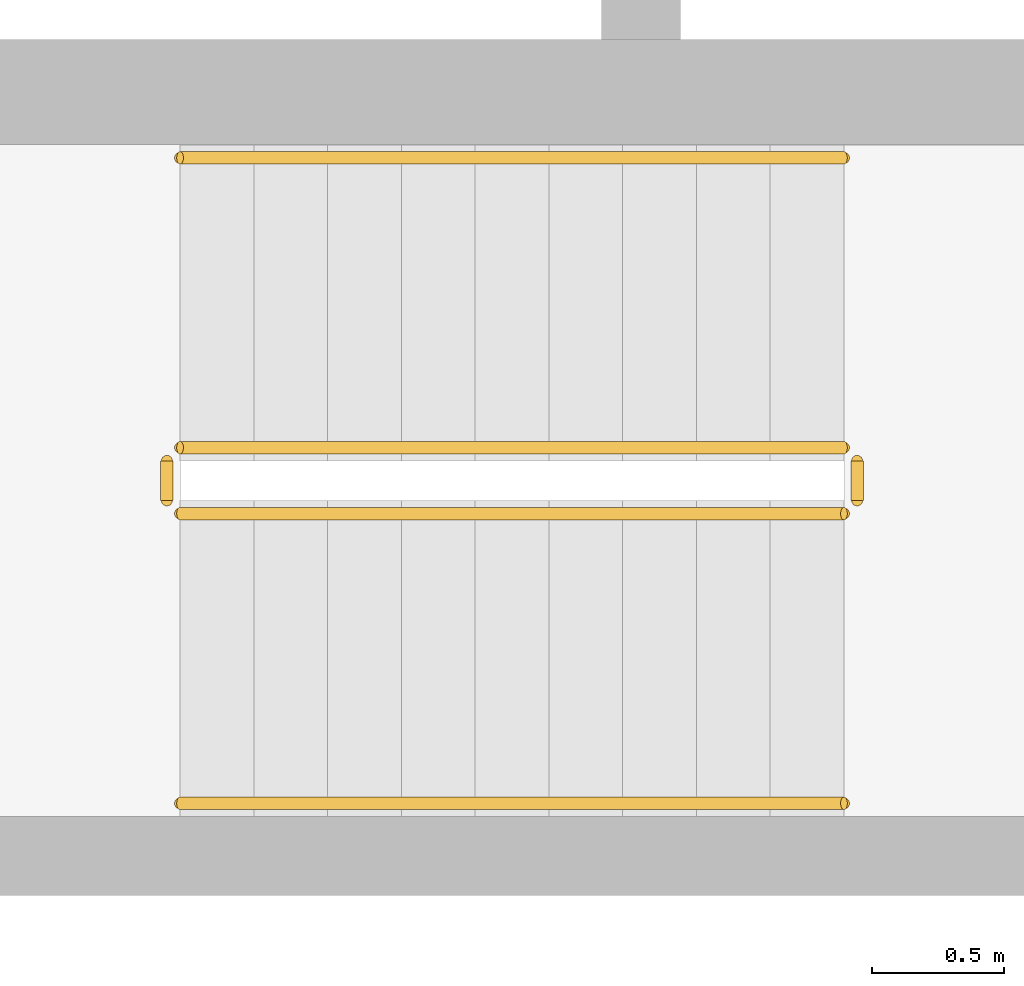
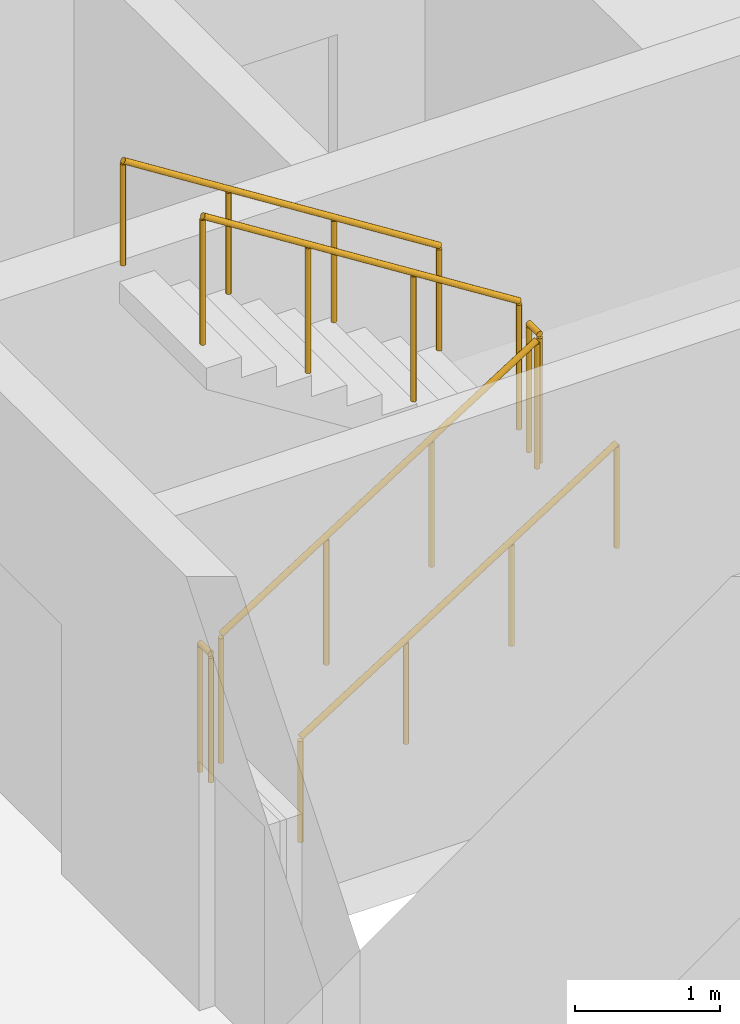
# One storey, part 16 of 19: 6 railings.
"""IFC4 building model written with IfcOpenShell, lengths in metres."""

from ifc_helpers import new_model, si_unit, direction, frame, origin, origin_2d, place, context, subcontext, project, spatial, circle, extrude, material, type_object, element, save


model = new_model("IFC4")

# Units and contexts
model_context = context("Model", 3, precision=1e-05, world=origin(), true_north=direction((0.0, 1.0)))
body_context = subcontext(model_context, "Body", "Model", "MODEL_VIEW")
ifc_project = project(units=[si_unit("LENGTHUNIT", "METRE"), si_unit("AREAUNIT", "SQUARE_METRE"), si_unit("VOLUMEUNIT", "CUBIC_METRE"), si_unit("PLANEANGLEUNIT", "RADIAN"), si_unit("MASSUNIT", "GRAM", prefix="KILO")], contexts=[model_context])

# Site, building, storey
site_placement = place(None, origin())
site = spatial("IfcSite", under=ifc_project, at=site_placement, CompositionType="ELEMENT")
building_placement = place(site_placement, origin())
building = spatial("IfcBuilding", under=site, at=building_placement, Name="Ostrand Prow Hotel Tower", CompositionType="ELEMENT")
storey_placement = place(building_placement, frame((0.0, 0.0, 46.699951171875)))
storey = spatial("IfcBuildingStorey", under=building, at=storey_placement, Name="L09", CompositionType="ELEMENT", Elevation=46.699951171875)

# Railings
ifc_material_1 = material(Name="Painted steel", Category="steel")
railing_type_1 = type_object("IfcRailingType", Name="Stair guard 1100", PredefinedType="GUARDRAIL", material=ifc_material_1)
railing_1_placement = place(storey_placement, frame((57.199951171875, -11.75, 0.177490234375)))
element("IfcRailing", 1, at=railing_1_placement, inside=storey, type_object=railing_type_1, Name="L09 ST2C stair guard 1", PredefinedType="GUARDRAIL", context=body_context, shape_type="SweptSolid", body=[
    extrude(circle(Radius=0.02392578125, at=origin_2d()), frame((0.0, 0.0, 1.076171875), z_axis=(0.84456994832, 0.0, 0.535445237532), x_axis=(0.0, 1.0, 0.0)), (0.0, 0.0, 1.0), 2.98388671875),
    extrude(circle(Radius=0.02099609375, at=origin_2d()), origin(), (0.0, 0.0, 1.0), 1.052001953125),
    extrude(circle(Radius=0.02099609375, at=origin_2d()), frame((0.840087890625, 0.0, 0.532470703125)), (0.0, 0.0, 1.0), 1.052001953125),
    extrude(circle(Radius=0.02099609375, at=origin_2d()), frame((1.679931640625, 0.0, 1.065185546875)), (0.0, 0.0, 1.0), 1.052001953125),
    extrude(circle(Radius=0.02099609375, at=origin_2d()), frame((2.52001953125, 0.0, 1.59765625)), (0.0, 0.0, 1.0), 1.052001953125),
])
railing_2_placement = place(storey_placement, frame((59.77001953125, -11.699951171875, 1.775146484375)))
element("IfcRailing", 2, at=railing_2_placement, inside=storey, type_object=railing_type_1, Name="L09 ST2C stair guard 2", PredefinedType="GUARDRAIL", context=body_context, shape_type="SweptSolid", body=[
    extrude(circle(Radius=0.02392578125, at=origin_2d()), frame((0.0, 0.0, 1.076171875), z_axis=(0.0, 1.0, 0.0), x_axis=(-1.0, 0.0, 0.0)), (0.0, 0.0, 1.0), 0.14990234375),
    extrude(circle(Radius=0.02099609375, at=origin_2d()), origin(), (0.0, 0.0, 1.0), 1.052001953125),
    extrude(circle(Radius=0.02099609375, at=origin_2d()), frame((0.0, 0.14990234375, 0.0)), (0.0, 0.0, 1.0), 1.052001953125),
])
railing_3_placement = place(storey_placement, frame((59.719970703125, -11.5, 1.95263671875)))
element("IfcRailing", 3, at=railing_3_placement, inside=storey, type_object=railing_type_1, Name="L09 ST2C stair guard 3", PredefinedType="GUARDRAIL", context=body_context, shape_type="SweptSolid", body=[
    extrude(circle(Radius=0.02392578125, at=origin_2d()), frame((0.0, 0.0, 1.076171875), z_axis=(-0.84460694969, 0.0, 0.535386869969), x_axis=(0.0, -1.0, 0.0)), (0.0, 0.0, 1.0), 2.983642578125),
    extrude(circle(Radius=0.02099609375, at=origin_2d()), origin(), (0.0, 0.0, 1.0), 1.052001953125),
    extrude(circle(Radius=0.02099609375, at=origin_2d()), frame((-0.840087890625, 0.0, 0.532470703125)), (0.0, 0.0, 1.0), 1.052001953125),
    extrude(circle(Radius=0.02099609375, at=origin_2d()), frame((-1.679931640625, 0.0, 1.06494140625)), (0.0, 0.0, 1.0), 1.052001953125),
    extrude(circle(Radius=0.02099609375, at=origin_2d()), frame((-2.52001953125, 0.0, 1.597412109375)), (0.0, 0.0, 1.0), 1.052001953125),
])
railing_4_placement = place(storey_placement, frame((57.14990234375, -11.699951171875, 0.0)))
element("IfcRailing", 4, at=railing_4_placement, inside=storey, type_object=railing_type_1, Name="L09 ST2C stair guard 4", PredefinedType="GUARDRAIL", context=body_context, shape_type="SweptSolid", body=[
    extrude(circle(Radius=0.02392578125, at=origin_2d()), frame((0.0, 0.0, 1.076171875), z_axis=(0.0, 1.0, 0.0), x_axis=(-1.0, 0.0, 0.0)), (0.0, 0.0, 1.0), 0.14990234375),
    extrude(circle(Radius=0.02099609375, at=origin_2d()), origin(), (0.0, 0.0, 1.0), 1.052001953125),
    extrude(circle(Radius=0.02099609375, at=origin_2d()), frame((0.0, 0.14990234375, 0.0)), (0.0, 0.0, 1.0), 1.052001953125),
])
ifc_material_2 = material(Name="Stainless steel", Category="steel")
railing_type_2 = type_object("IfcRailingType", Name="Stair handrail 900", PredefinedType="HANDRAIL", material=ifc_material_2)
railing_5_placement = place(storey_placement, frame((57.199951171875, -12.85009765625, 0.177490234375)))
element("IfcRailing", 5, at=railing_5_placement, inside=storey, type_object=railing_type_2, Name="L09 ST2C stair handrail 1", PredefinedType="HANDRAIL", context=body_context, shape_type="SweptSolid", body=[
    extrude(circle(Radius=0.02392578125, at=origin_2d()), frame((0.0, 0.0, 0.8759765625), z_axis=(0.84456994832, 0.0, 0.535445237532), x_axis=(0.0, 1.0, 0.0)), (0.0, 0.0, 1.0), 2.98388671875),
    extrude(circle(Radius=0.02099609375, at=origin_2d()), origin(), (0.0, 0.0, 1.0), 0.851806640625),
    extrude(circle(Radius=0.02099609375, at=origin_2d()), frame((0.840087890625, 0.0, 0.532470703125)), (0.0, 0.0, 1.0), 0.851806640625),
    extrude(circle(Radius=0.02099609375, at=origin_2d()), frame((1.679931640625, 0.0, 1.065185546875)), (0.0, 0.0, 1.0), 0.851806640625),
    extrude(circle(Radius=0.02099609375, at=origin_2d()), frame((2.52001953125, 0.0, 1.59765625)), (0.0, 0.0, 1.0), 0.851806640625),
])
railing_6_placement = place(storey_placement, frame((59.719970703125, -10.39990234375, 1.95263671875)))
element("IfcRailing", 6, at=railing_6_placement, inside=storey, type_object=railing_type_2, Name="L09 ST2C stair handrail 2", PredefinedType="HANDRAIL", context=body_context, shape_type="SweptSolid", body=[
    extrude(circle(Radius=0.02392578125, at=origin_2d()), frame((0.0, 0.0, 0.8759765625), z_axis=(-0.84460694969, 0.0, 0.535386869969), x_axis=(0.0, -1.0, 0.0)), (0.0, 0.0, 1.0), 2.983642578125),
    extrude(circle(Radius=0.02099609375, at=origin_2d()), origin(), (0.0, 0.0, 1.0), 0.851806640625),
    extrude(circle(Radius=0.02099609375, at=origin_2d()), frame((-0.840087890625, 0.0, 0.532470703125)), (0.0, 0.0, 1.0), 0.851806640625),
    extrude(circle(Radius=0.02099609375, at=origin_2d()), frame((-1.679931640625, 0.0, 1.06494140625)), (0.0, 0.0, 1.0), 0.851806640625),
    extrude(circle(Radius=0.02099609375, at=origin_2d()), frame((-2.52001953125, 0.0, 1.597412109375)), (0.0, 0.0, 1.0), 0.851806640625),
])

save(model, "model.ifc")
